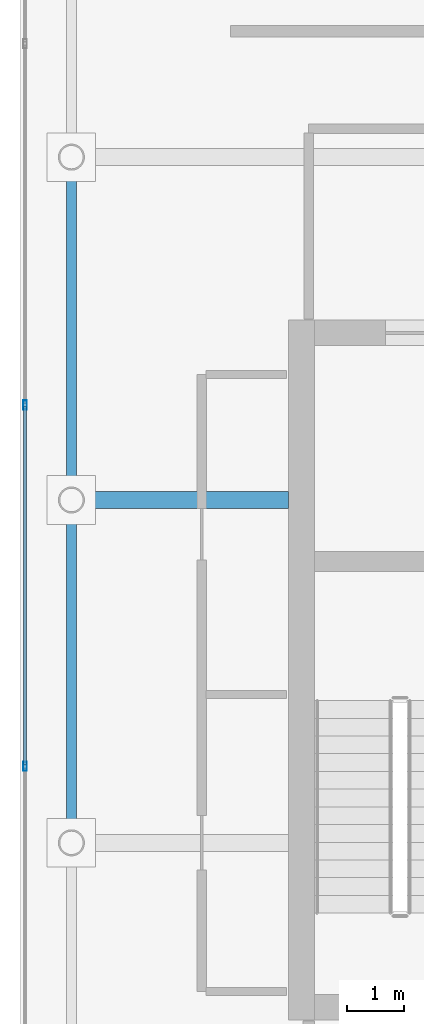
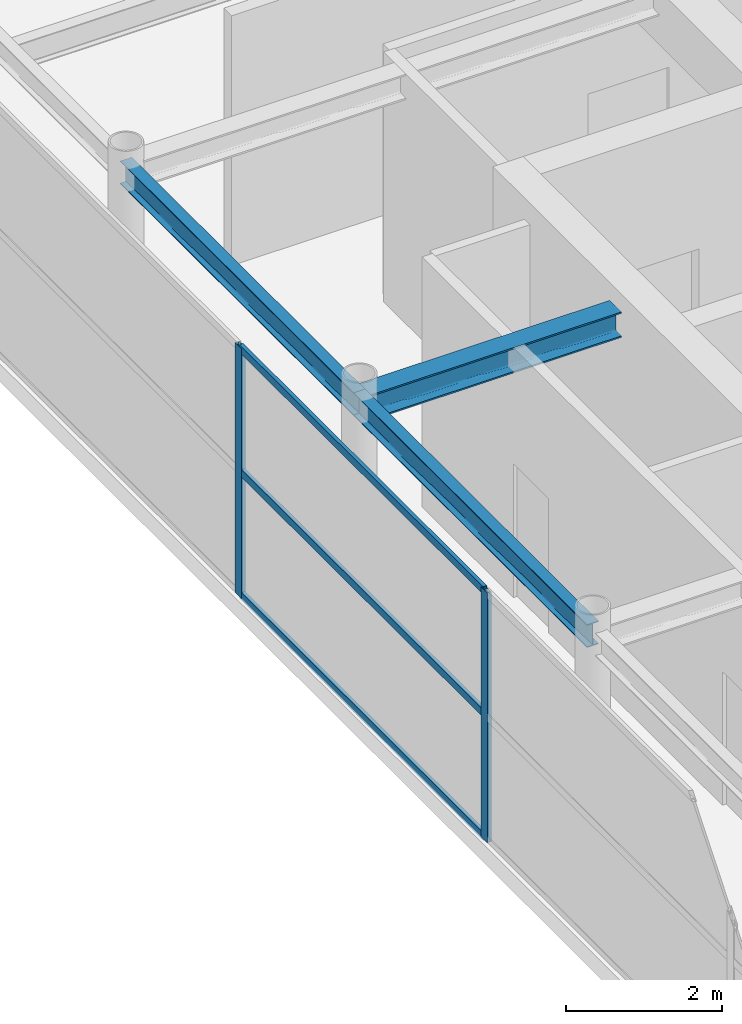
# One storey, part 11 of 32: 5 members, 3 beams, 1 element without a shape of its own.
"""IFC4 building model written with IfcOpenShell, lengths in metres."""

from ifc_helpers import new_model, si_unit, direction, frame, origin, origin_2d, place, context, subcontext, project, spatial, hollow_rectangle, i_section, extrude, source, transform, mapped, material, layer, layer_set, material_profile, profile_set, type_object, element, aggregate, save


model = new_model("IFC4")

# Units and contexts
model_context = context("Model", 3, precision=1e-05, world=origin(), true_north=direction((0.0, 1.0)))
body_context = subcontext(model_context, "Body", "Model", "MODEL_VIEW")
ifc_project = project(units=[si_unit("LENGTHUNIT", "METRE"), si_unit("AREAUNIT", "SQUARE_METRE"), si_unit("VOLUMEUNIT", "CUBIC_METRE"), si_unit("PLANEANGLEUNIT", "RADIAN"), si_unit("MASSUNIT", "GRAM", prefix="KILO")], contexts=[model_context])

# Site, building, storey
site_placement = place(None, origin())
site = spatial("IfcSite", under=ifc_project, at=site_placement, CompositionType="ELEMENT")
building_placement = place(site_placement, origin())
building = spatial("IfcBuilding", under=site, at=building_placement, Name="Khoralis Quay Care Tower", CompositionType="ELEMENT")
storey_placement = place(building_placement, frame((0.0, 0.0, 293.699951171875)))
storey = spatial("IfcBuildingStorey", under=building, at=storey_placement, Name="L77", CompositionType="ELEMENT", Elevation=293.699951171875)

# Beams
ifc_material_1 = material(Name="Steel S355", Category="steel")
ifc_material_profile_1 = material_profile(ifc_material_1, i_section(OverallWidth=0.169921875, OverallDepth=0.360107421875, WebThickness=0.008056640625, FlangeThickness=0.0126953125, FilletRadius=0.01806640625, at=origin_2d()), Name="Steel S355")
ifc_profile_set_1 = profile_set([ifc_material_profile_1], Name="Steel S355")
beam_type_1 = type_object("IfcBeamType", Name="BM-IPE360", PredefinedType="SPANDREL", material=ifc_profile_set_1)
shared_shape_1 = source(origin(), body_context, "Body", "SweptSolid", [
    extrude(i_section(OverallWidth=0.169921875, OverallDepth=0.360107421875, WebThickness=0.008056640625, FlangeThickness=0.0126953125, FilletRadius=0.01806640625, at=origin_2d()), origin(), (0.0, 0.0, 1.0), 6.0),
])
for number, where, z_axis, x_axis, name in (
    (1, (3.89990234375, 18.0, 3.739990234375), (0.0, 1.0, 0.0), (-1.0, 0.0, 0.0), "BM-TSP-L77-10"),
    (2, (3.89990234375, 24.0, 3.739990234375), (0.0, 1.0, 0.0), (-1.0, 0.0, 0.0), "BM-TSP-L77-11"),
):
    element("IfcBeam", number, at=place(storey_placement, frame(where, z_axis=z_axis, x_axis=x_axis)), inside=storey, type_object=beam_type_1, Name=name, PredefinedType="SPANDREL", context=body_context, shape_type="MappedRepresentation", body=[
        mapped(shared_shape_1, transform((0.0, 0.0, 0.0), scale=1.0)),
    ])
ifc_material_profile_2 = material_profile(ifc_material_1, i_section(OverallWidth=0.300048828125, OverallDepth=0.39990234375, WebThickness=0.013427734375, FlangeThickness=0.02392578125, FilletRadius=0.027099609375, at=origin_2d()), Name="Steel S355")
ifc_profile_set_2 = profile_set([ifc_material_profile_2], Name="Steel S355")
beam_type_2 = type_object("IfcBeamType", Name="BM-HEB400", PredefinedType="BEAM", material=ifc_profile_set_2)
shared_shape_2 = source(origin(), body_context, "Body", "SweptSolid", [
    extrude(i_section(OverallWidth=0.300048828125, OverallDepth=0.39990234375, WebThickness=0.013427734375, FlangeThickness=0.02392578125, FilletRadius=0.027099609375, at=origin_2d()), origin(), (0.0, 0.0, 1.0), 3.802001953125),
])
beam_placement = place(storey_placement, frame((3.89990234375, 24.0, 3.719970703125), z_axis=(1.0, 0.0, 0.0), x_axis=(0.0, 1.0, 0.0)))
element("IfcBeam", 3, at=beam_placement, inside=storey, type_object=beam_type_2, Name="BM-TGXW-L77-240", PredefinedType="BEAM", context=body_context, shape_type="MappedRepresentation", body=[
    mapped(shared_shape_2, transform((0.0, 0.0, 0.0), scale=1.0)),
])

# Curtain wall, members
ifc_material_2 = material(Name="Pale anodised aluminium", Category="aluminium")
ifc_layer = layer(ifc_material_2, 0.199951171875)
ifc_layer_set = layer_set([ifc_layer], Name="Pale anodised aluminium")
curtain_wall_type = type_object("IfcCurtainWallType", Name="CW-SYS-LANTERN", PredefinedType="NOTDEFINED", material=ifc_layer_set)
curtain_wall_placement = place(storey_placement, origin())
curtain_wall = element("IfcCurtainWall", 4, at=curtain_wall_placement, inside=storey, type_object=curtain_wall_type, Name="L77 Unitised Curtain Wall CW-LN-L77-16", PredefinedType="NOTDEFINED")
ifc_material_profile_3 = material_profile(ifc_material_2, hollow_rectangle(XDim=0.06005859375, YDim=0.159912109375, WallThickness=0.00390625, at=origin_2d()), Name="Pale anodised aluminium")
ifc_profile_set_3 = profile_set([ifc_material_profile_3], Name="Pale anodised aluminium")
member_type_1 = type_object("IfcMemberType", Name="CW-MUL-160", PredefinedType="MULLION", material=ifc_profile_set_3)
shared_shape_3 = source(origin(), body_context, "Body", "SweptSolid", [
    extrude(hollow_rectangle(XDim=0.06005859375, YDim=0.159912109375, WallThickness=0.00390625, at=origin_2d()), origin(), (0.0, 0.0, 1.0), 3.920166015625),
])
member_1_placement = place(storey_placement, frame((3.090087890625, 25.662109375, 0.0), z_axis=(0.0, 0.0, 1.0), x_axis=(1.0, 0.0, 0.0)))
member_1 = element("IfcMember", 5, at=member_1_placement, type_object=member_type_1, Name="CW5 mullion 3", PredefinedType="MULLION", context=body_context, shape_type="MappedRepresentation", body=[
    mapped(shared_shape_3, transform((0.0, 0.0, 0.0), scale=1.0)),
])
member_2_placement = place(storey_placement, frame((3.090087890625, 19.337890625, 0.0), z_axis=(0.0, 0.0, 1.0), x_axis=(1.0, 0.0, 0.0)))
member_2 = element("IfcMember", 6, at=member_2_placement, type_object=member_type_1, Name="CW5 mullion 4", PredefinedType="MULLION", context=body_context, shape_type="MappedRepresentation", body=[
    mapped(shared_shape_3, transform((0.0, 0.0, 0.0), scale=1.0)),
])
ifc_material_profile_4 = material_profile(ifc_material_2, hollow_rectangle(XDim=0.054931640625, YDim=0.1201171875, WallThickness=0.00390625, at=origin_2d()), Name="Pale anodised aluminium")
ifc_profile_set_4 = profile_set([ifc_material_profile_4], Name="Pale anodised aluminium")
member_type_2 = type_object("IfcMemberType", Name="CW-TRN-120", PredefinedType="USERDEFINED", material=ifc_profile_set_4)
shared_shape_4 = source(origin(), body_context, "Body", "SweptSolid", [
    extrude(hollow_rectangle(XDim=0.054931640625, YDim=0.1201171875, WallThickness=0.00390625, at=origin_2d()), origin(), (0.0, 0.0, 1.0), 6.26416015625),
])
member_3_placement = place(storey_placement, frame((3.090087890625, 25.632080078125, 0.030029296875), z_axis=(0.0, -1.0, 0.0), x_axis=(1.0, 0.0, 0.0)))
member_3 = element("IfcMember", 7, at=member_3_placement, type_object=member_type_2, Name="CW5 transom 3.1", ObjectType="TRANSOM", PredefinedType="USERDEFINED", context=body_context, shape_type="MappedRepresentation", body=[
    mapped(shared_shape_4, transform((0.0, 0.0, 0.0), scale=1.0)),
])
member_4_placement = place(storey_placement, frame((3.090087890625, 25.632080078125, 1.9599609375), z_axis=(0.0, -1.0, 0.0), x_axis=(1.0, 0.0, 0.0)))
member_4 = element("IfcMember", 8, at=member_4_placement, type_object=member_type_2, Name="CW5 transom 3.2", ObjectType="TRANSOM", PredefinedType="USERDEFINED", context=body_context, shape_type="MappedRepresentation", body=[
    mapped(shared_shape_4, transform((0.0, 0.0, 0.0), scale=1.0)),
])
member_5_placement = place(storey_placement, frame((3.090087890625, 25.632080078125, 3.89013671875), z_axis=(0.0, -1.0, 0.0), x_axis=(1.0, 0.0, 0.0)))
member_5 = element("IfcMember", 9, at=member_5_placement, type_object=member_type_2, Name="CW5 transom 3.3", ObjectType="TRANSOM", PredefinedType="USERDEFINED", context=body_context, shape_type="MappedRepresentation", body=[
    mapped(shared_shape_4, transform((0.0, 0.0, 0.0), scale=1.0)),
])
aggregate(curtain_wall, [member_1, member_2, member_3, member_4, member_5])

save(model, "model.ifc")
